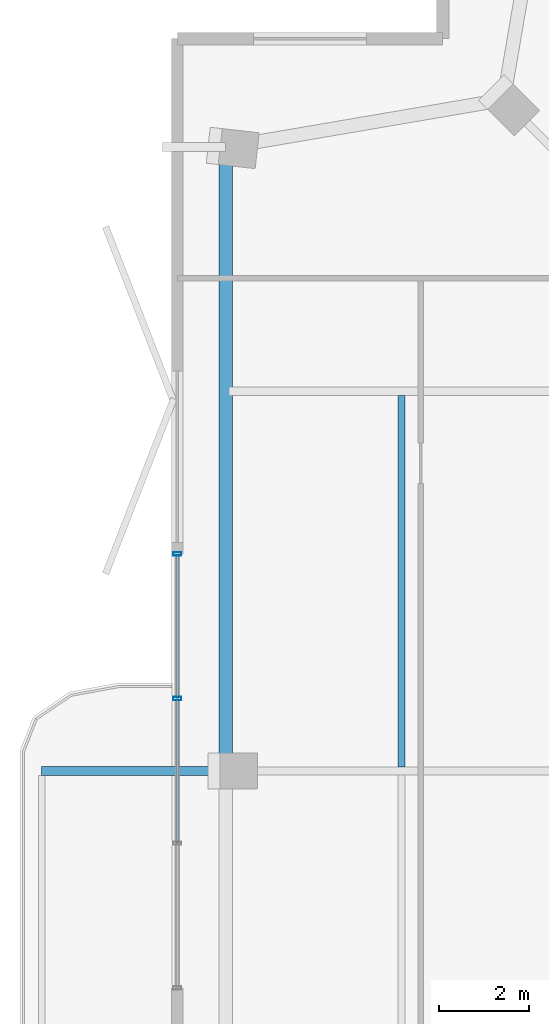
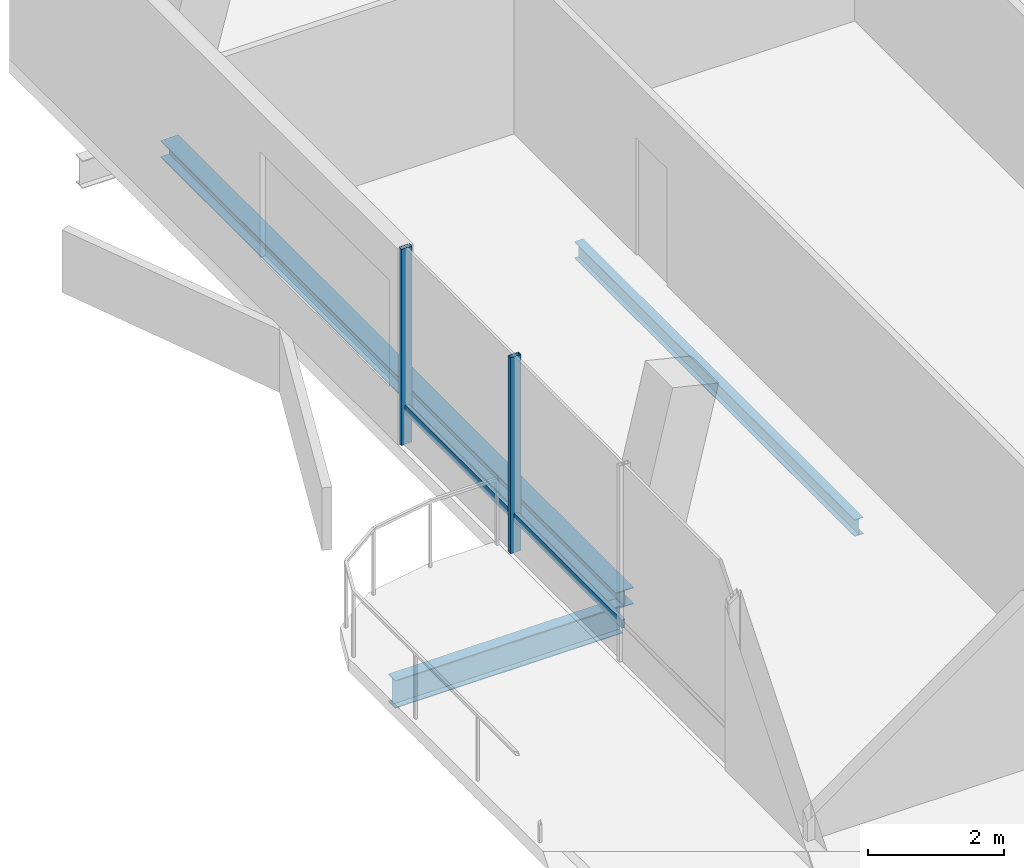
# One storey, part 6 of 19: 4 members, 3 beams, 1 element without a shape of its own.
"""IFC4 building model written with IfcOpenShell, lengths in metres."""

from ifc_helpers import new_model, si_unit, direction, frame, origin, origin_2d, place, context, subcontext, project, spatial, hollow_rectangle, i_section, extrude, material, layer, layer_set, material_profile, profile_set, type_object, element, aggregate, save


model = new_model("IFC4")

# Units and contexts
model_context = context("Model", 3, precision=1e-05, world=origin(), true_north=direction((0.0, 1.0)))
body_context = subcontext(model_context, "Body", "Model", "MODEL_VIEW")
ifc_project = project(units=[si_unit("LENGTHUNIT", "METRE"), si_unit("AREAUNIT", "SQUARE_METRE"), si_unit("VOLUMEUNIT", "CUBIC_METRE"), si_unit("PLANEANGLEUNIT", "RADIAN"), si_unit("MASSUNIT", "GRAM", prefix="KILO")], contexts=[model_context])

# Site, building, storey
site_placement = place(None, origin())
site = spatial("IfcSite", under=ifc_project, at=site_placement, CompositionType="ELEMENT")
building_placement = place(site_placement, origin())
building = spatial("IfcBuilding", under=site, at=building_placement, Name="Belovzor Exchange Tower", CompositionType="ELEMENT")
storey_placement = place(building_placement, frame((0.0, 0.0, 340.5)))
storey = spatial("IfcBuildingStorey", under=building, at=storey_placement, Name="L85", CompositionType="ELEMENT", Elevation=340.5)

# Beams
ifc_material_1 = material(Name="Steel S355", Category="steel")
ifc_material_profile_1 = material_profile(ifc_material_1, i_section(OverallWidth=0.199951171875, OverallDepth=0.5, WebThickness=0.01025390625, FlangeThickness=0.01611328125, at=origin_2d()))
ifc_profile_set_1 = profile_set([ifc_material_profile_1], Name="Steel S355")
beam_type_1 = type_object("IfcBeamType", Name="Planted Balcony Cantilever Beam IPE 500", PredefinedType="BEAM", material=ifc_profile_set_1)
beam_1_placement = place(storey_placement, frame((7.580078125, 28.800048828125, -0.489990234375), z_axis=(-1.0, 0.0, 0.0), x_axis=(0.0, -1.0, 0.0)))
element("IfcBeam", 1, at=beam_1_placement, inside=storey, type_object=beam_type_1, Name="BC-500 Planted Balcony Cantilever Beam IPE 500", PredefinedType="BEAM", context=body_context, shape_type="SweptSolid", body=[
    extrude(i_section(OverallWidth=0.199951171875, OverallDepth=0.5, WebThickness=0.01025390625, FlangeThickness=0.01611328125, at=origin_2d()), origin(), (0.0, 0.0, 1.0), 3.85009765625),
])
ifc_material_2 = material(Name="Steel S355", Category="steel")
ifc_material_profile_2 = material_profile(ifc_material_2, i_section(OverallWidth=0.14990234375, OverallDepth=0.300048828125, WebThickness=0.007080078125, FlangeThickness=0.0107421875, at=origin_2d()))
ifc_profile_set_2 = profile_set([ifc_material_profile_2], Name="Steel S355")
beam_type_2 = type_object("IfcBeamType", Name="Secondary Trim Floor Joist IPE 300", PredefinedType="BEAM", material=ifc_profile_set_2)
beam_2_placement = place(storey_placement, frame((11.69091796875, 28.889892578125, -0.389892578125), z_axis=(0.0, 1.0, 0.0), x_axis=(-1.0, 0.0, 0.0)))
element("IfcBeam", 2, at=beam_2_placement, inside=storey, type_object=beam_type_2, Name="FJ-300 Secondary Trim Floor Joist IPE 300", PredefinedType="BEAM", context=body_context, shape_type="SweptSolid", body=[
    extrude(i_section(OverallWidth=0.14990234375, OverallDepth=0.300048828125, WebThickness=0.007080078125, FlangeThickness=0.0107421875, at=origin_2d()), origin(), (0.0, 0.0, 1.0), 8.22021484375),
])

# Curtain wall, members
ifc_material_3 = material(Name="Anodised Aluminium Framing", Category="aluminium")
ifc_layer = layer(ifc_material_3, 0.179931640625)
ifc_layer_set = layer_set([ifc_layer], Name="Anodised Aluminium Framing")
curtain_wall_type = type_object("IfcCurtainWallType", Name="Recessed Loggia Low-Iron Triple-Glazed Curtain Wall", PredefinedType="NOTDEFINED", material=ifc_layer_set)
curtain_wall_placement = place(storey_placement, origin())
curtain_wall = element("IfcCurtainWall", 3, at=curtain_wall_placement, inside=storey, type_object=curtain_wall_type, Name="CW3 Recessed Loggia Low-Iron Triple-Glazed Curtain Wall L85", PredefinedType="NOTDEFINED")
ifc_material_4 = material(Name="Steel S355", Category="steel")
ifc_material_profile_3 = material_profile(ifc_material_4, hollow_rectangle(XDim=0.074951171875, YDim=0.179931640625, WallThickness=0.0048828125, at=origin_2d()))
ifc_profile_set_3 = profile_set([ifc_material_profile_3], Name="Steel S355")
member_type_1 = type_object("IfcMemberType", Name="Thermally Broken Curtain Wall Mullion 180x75", PredefinedType="MULLION", material=ifc_profile_set_3)
member_1_placement = place(storey_placement, frame((6.72998046875, 30.39990234375, 0.0), z_axis=(0.0, 0.0, 1.0), x_axis=(0.0, 1.0, 0.0)))
member_1 = element("IfcMember", 4, at=member_1_placement, type_object=member_type_1, Name="CW-M180 Curtain Wall Mullion 3", PredefinedType="MULLION", context=body_context, shape_type="SweptSolid", body=[
    extrude(hollow_rectangle(XDim=0.074951171875, YDim=0.179931640625, WallThickness=0.0048828125, at=origin_2d()), origin(), (0.0, 0.0, 1.0), 3.510009765625),
])
member_2_placement = place(storey_placement, frame((6.72998046875, 33.60009765625, 0.0), z_axis=(0.0, 0.0, 1.0), x_axis=(0.0, 1.0, 0.0)))
member_2 = element("IfcMember", 5, at=member_2_placement, type_object=member_type_1, Name="CW-M180 Curtain Wall Mullion 4", PredefinedType="MULLION", context=body_context, shape_type="SweptSolid", body=[
    extrude(hollow_rectangle(XDim=0.074951171875, YDim=0.179931640625, WallThickness=0.0048828125, at=origin_2d()), origin(), (0.0, 0.0, 1.0), 3.510009765625),
])
ifc_material_5 = material(Name="Steel S355", Category="steel")
ifc_material_profile_4 = material_profile(ifc_material_5, hollow_rectangle(XDim=0.06005859375, YDim=0.14990234375, WallThickness=0.00390625, at=origin_2d()))
ifc_profile_set_4 = profile_set([ifc_material_profile_4], Name="Steel S355")
member_type_2 = type_object("IfcMemberType", Name="Thermally Broken Curtain Wall Transom 150x60", PredefinedType="USERDEFINED", material=ifc_profile_set_4)
member_3_placement = place(storey_placement, frame((6.72998046875, 27.2080078125, 0.632080078125), z_axis=(0.0, 1.0, 0.0), x_axis=(-1.0, 0.0, 0.0)))
member_3 = element("IfcMember", 6, at=member_3_placement, type_object=member_type_2, Name="CW-T150 Curtain Wall Transom 2", ObjectType="TRANSOM", PredefinedType="USERDEFINED", context=body_context, shape_type="SweptSolid", body=[
    extrude(hollow_rectangle(XDim=0.06005859375, YDim=0.14990234375, WallThickness=0.00390625, at=origin_2d()), origin(), (0.0, 0.0, 1.0), 3.18408203125),
])
member_4_placement = place(storey_placement, frame((6.72998046875, 30.407958984375, 0.632080078125), z_axis=(0.0, 1.0, 0.0), x_axis=(-1.0, 0.0, 0.0)))
member_4 = element("IfcMember", 7, at=member_4_placement, type_object=member_type_2, Name="CW-T150 Curtain Wall Transom 3", ObjectType="TRANSOM", PredefinedType="USERDEFINED", context=body_context, shape_type="SweptSolid", body=[
    extrude(hollow_rectangle(XDim=0.06005859375, YDim=0.14990234375, WallThickness=0.00390625, at=origin_2d()), origin(), (0.0, 0.0, 1.0), 3.18408203125),
])
aggregate(curtain_wall, [member_1, member_2, member_3, member_4])

# Beam
ifc_material_6 = material(Name="Steel S355", Category="steel")
ifc_material_profile_5 = material_profile(ifc_material_6, i_section(OverallWidth=0.300048828125, OverallDepth=0.300048828125, WebThickness=0.008544921875, FlangeThickness=0.013916015625, at=origin_2d()))
ifc_profile_set_5 = profile_set([ifc_material_profile_5], Name="Steel S355")
beam_type_3 = type_object("IfcBeamType", Name="Zone 6 Primary Girder HEA 300", PredefinedType="BEAM", material=ifc_profile_set_5)
beam_3_placement = place(storey_placement, frame((7.800048828125, 42.3798828125, -0.389892578125), z_axis=(0.0, -1.0, 0.0), x_axis=(1.0, 0.0, 0.0)))
element("IfcBeam", 8, at=beam_3_placement, inside=storey, type_object=beam_type_3, Name="FG-Z6 Zone 6 Primary Girder HEA 300", PredefinedType="BEAM", context=body_context, shape_type="SweptSolid", body=[
    extrude(i_section(OverallWidth=0.300048828125, OverallDepth=0.300048828125, WebThickness=0.008544921875, FlangeThickness=0.013916015625, at=origin_2d()), origin(), (0.0, 0.0, 1.0), 13.35986328125),
])

save(model, "model.ifc")
